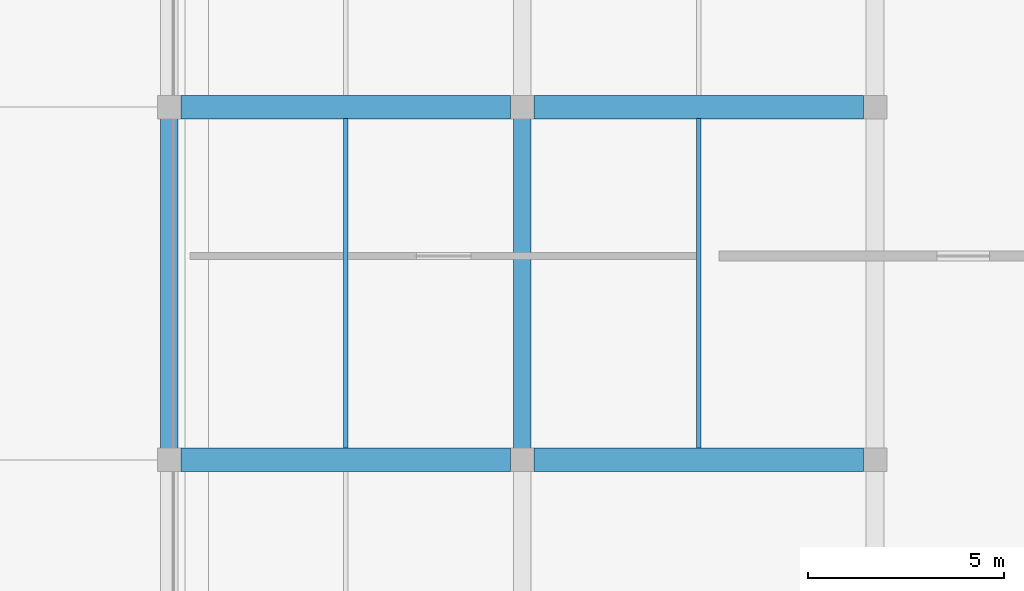
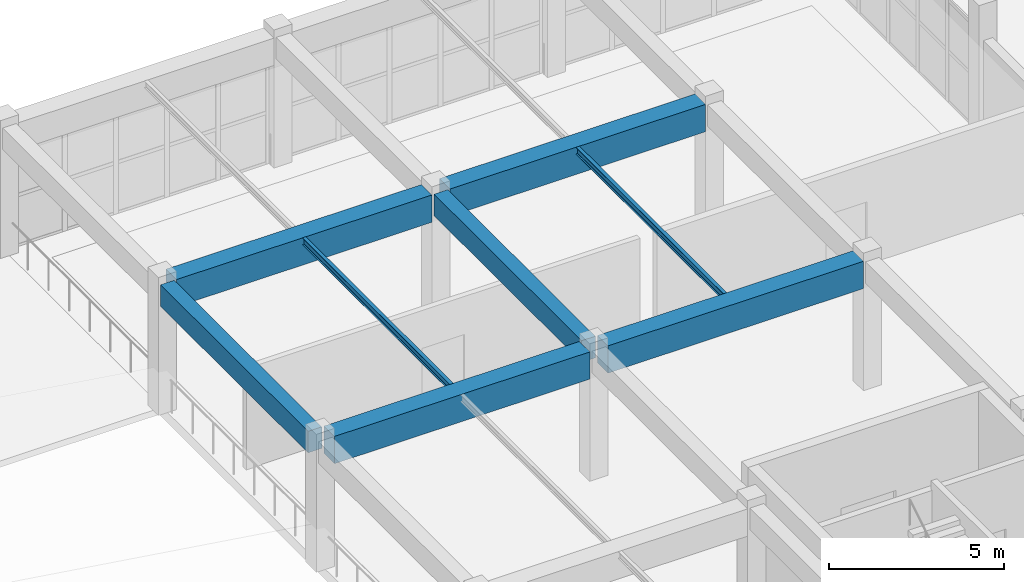
# One storey, part 28 of 89: 8 beams.
"""IFC4 building model written with IfcOpenShell, lengths in metres."""

from ifc_helpers import new_model, si_unit, direction, frame, origin, origin_2d, place, context, subcontext, project, spatial, rectangle, i_section, extrude, material, material_profile, profile_set, type_object, element, save


model = new_model("IFC4")

# Units and contexts
model_context = context("Model", 3, precision=1e-05, world=origin(), true_north=direction((0.0, 1.0)))
body_context = subcontext(model_context, "Body", "Model", "MODEL_VIEW")
ifc_project = project(units=[si_unit("LENGTHUNIT", "METRE"), si_unit("AREAUNIT", "SQUARE_METRE"), si_unit("VOLUMEUNIT", "CUBIC_METRE"), si_unit("PLANEANGLEUNIT", "RADIAN"), si_unit("MASSUNIT", "GRAM", prefix="KILO")], contexts=[model_context])

# Site, building, storey
site_placement = place(None, origin())
site = spatial("IfcSite", under=ifc_project, at=site_placement, CompositionType="ELEMENT")
building_placement = place(site_placement, origin())
building = spatial("IfcBuilding", under=site, at=building_placement, Name="Dornveld Trade and Exhibition Forum", CompositionType="ELEMENT")
storey_placement = place(building_placement, frame((0.0, 0.0, 12.0)))
storey = spatial("IfcBuildingStorey", under=building, at=storey_placement, Name="L02", CompositionType="ELEMENT", Elevation=12.0)

# Beams
ifc_material_1 = material(Name="Steel S355J2", Category="steel")
ifc_material_profile_1 = material_profile(ifc_material_1, i_section(OverallWidth=0.1201171875, OverallDepth=0.239990234375, WebThickness=0.006103515625, FlangeThickness=0.009765625, FilletRadius=0.014892578125, at=origin_2d()), Name="IPE 240")
ifc_profile_set_1 = profile_set([ifc_material_profile_1], Name="Steel S355J2")
beam_type_1 = type_object("IfcBeamType", Name="BM-JOIST-240", PredefinedType="JOIST", material=ifc_profile_set_1)
for number, where, z_axis, x_axis, name in (
    (1, (202.5, 36.297119140625, 4.39990234375), (0.0, 1.0, 0.0), (-1.0, 0.0, 0.0), "L02 secondary joist 1580"),
    (2, (211.5, 36.297119140625, 4.39990234375), (0.0, 1.0, 0.0), (-1.0, 0.0, 0.0), "L02 secondary joist 1583"),
):
    element("IfcBeam", number, at=place(storey_placement, frame(where, z_axis=z_axis, x_axis=x_axis)), inside=storey, type_object=beam_type_1, Name=name, PredefinedType="JOIST", context=body_context, shape_type="SweptSolid", body=[
        extrude(i_section(OverallWidth=0.1201171875, OverallDepth=0.239990234375, WebThickness=0.006103515625, FlangeThickness=0.009765625, FilletRadius=0.014892578125, at=origin_2d()), origin(), (0.0, 0.0, 1.0), 8.40576171875),
    ])
ifc_material_2 = material(Name="Precast concrete C50/60", Category="concrete")
ifc_material_profile_2 = material_profile(ifc_material_2, rectangle(XDim=0.449951171875, YDim=0.75, at=origin_2d()), Name="PC-BM 450x750")
ifc_profile_set_2 = profile_set([ifc_material_profile_2], Name="Precast concrete C50/60")
beam_type_2 = type_object("IfcBeamType", Name="BM-PC-450x750", PredefinedType="BEAM", material=ifc_profile_set_2)
for number, where, z_axis, x_axis, name in (
    (3, (198.0, 36.2958984375, 4.14501953125), (0.0, 1.0, 0.0), (-1.0, 0.0, 0.0), "L02 Y-girder 1562"),
    (4, (207.0, 36.2958984375, 4.14501953125), (0.0, 1.0, 0.0), (-1.0, 0.0, 0.0), "L02 Y-girder 1568"),
):
    element("IfcBeam", number, at=place(storey_placement, frame(where, z_axis=z_axis, x_axis=x_axis)), inside=storey, type_object=beam_type_2, Name=name, PredefinedType="BEAM", context=body_context, shape_type="SweptSolid", body=[
        extrude(rectangle(XDim=0.449951171875, YDim=0.75, at=origin_2d()), origin(), (0.0, 0.0, 1.0), 8.408203125),
    ])
ifc_material_3 = material(Name="Precast concrete C50/60", Category="concrete")
ifc_material_profile_3 = material_profile(ifc_material_3, rectangle(XDim=0.60009765625, YDim=0.949951171875, at=origin_2d()), Name="PC-GIR 600x950")
ifc_profile_set_3 = profile_set([ifc_material_profile_3], Name="Precast concrete C50/60")
beam_type_3 = type_object("IfcBeamType", Name="BM-PC-600x950", PredefinedType="T_BEAM", material=ifc_profile_set_3)
for number, where, z_axis, x_axis, name in (
    (5, (198.2958984375, 36.0, 4.044921875), (1.0, 0.0, 0.0), (0.0, 1.0, 0.0), "L02 X-girder 1552"),
    (6, (207.2958984375, 36.0, 4.044921875), (1.0, 0.0, 0.0), (0.0, 1.0, 0.0), "L02 X-girder 1553"),
    (7, (198.2958984375, 45.0, 4.044921875), (1.0, 0.0, 0.0), (0.0, 1.0, 0.0), "L02 X-girder 1554"),
    (8, (207.2958984375, 45.0, 4.044921875), (1.0, 0.0, 0.0), (0.0, 1.0, 0.0), "L02 X-girder 1555"),
):
    element("IfcBeam", number, at=place(storey_placement, frame(where, z_axis=z_axis, x_axis=x_axis)), inside=storey, type_object=beam_type_3, Name=name, PredefinedType="T_BEAM", context=body_context, shape_type="SweptSolid", body=[
        extrude(rectangle(XDim=0.60009765625, YDim=0.949951171875, at=origin_2d()), origin(), (0.0, 0.0, 1.0), 8.408203125),
    ])

save(model, "model.ifc")
